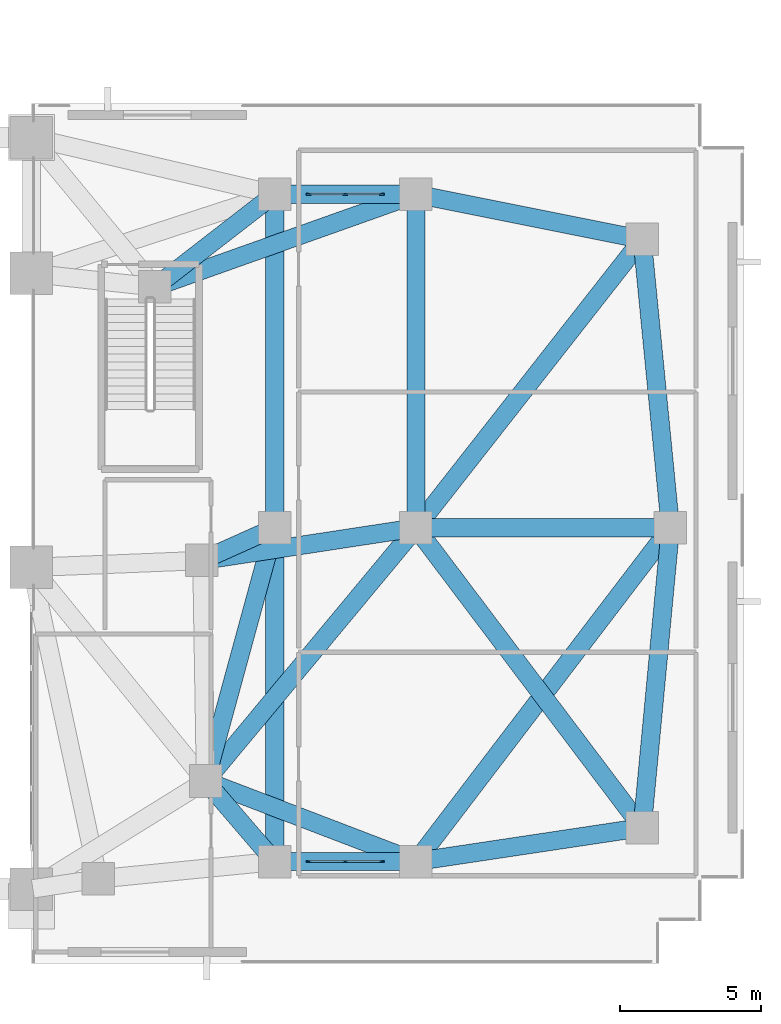
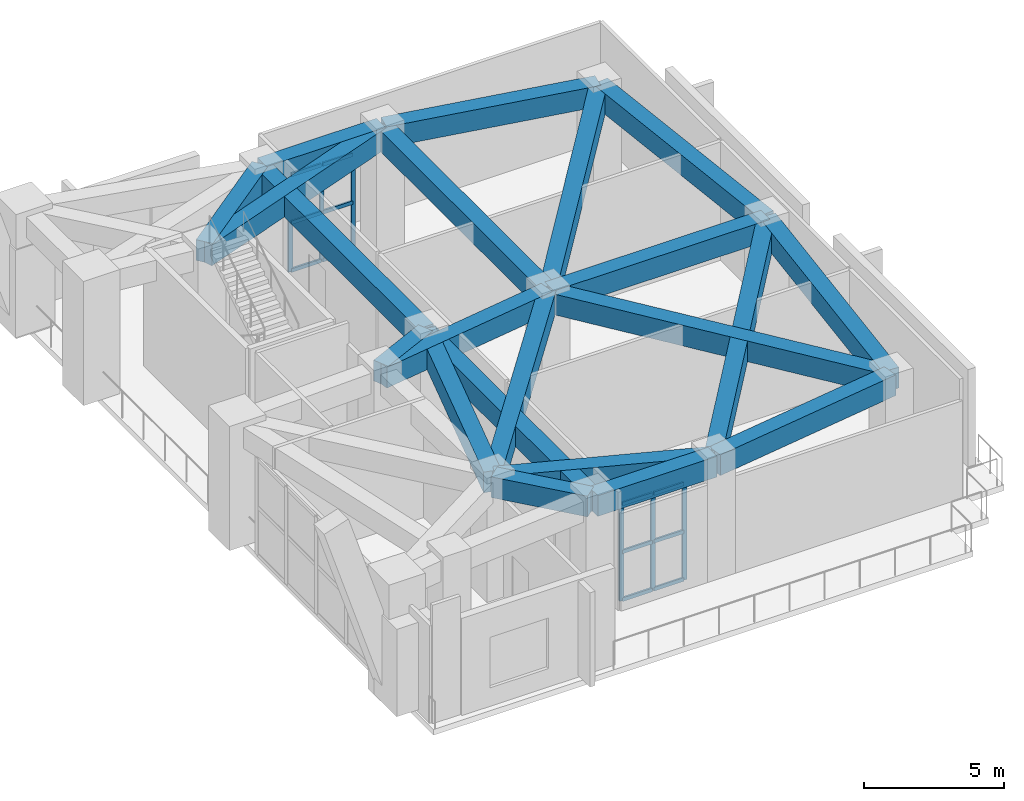
# One storey, part 4 of 18: 21 beams, 18 members, 2 elements without a shape of their own.
"""IFC4 building model written with IfcOpenShell, lengths in metres."""

from ifc_helpers import new_model, si_unit, direction, frame, origin, origin_2d, place, context, subcontext, project, spatial, rectangle, extrude, material, material_profile, profile_set, type_object, element, aggregate, save


model = new_model("IFC4")

# Units and contexts
model_context = context("Model", 3, precision=1e-05, world=origin(), true_north=direction((0.0, 1.0)))
body_context = subcontext(model_context, "Body", "Model", "MODEL_VIEW")
ifc_project = project(units=[si_unit("LENGTHUNIT", "METRE"), si_unit("AREAUNIT", "SQUARE_METRE"), si_unit("VOLUMEUNIT", "CUBIC_METRE"), si_unit("PLANEANGLEUNIT", "RADIAN"), si_unit("MASSUNIT", "GRAM", prefix="KILO")], contexts=[model_context])

# Site, building, storey
site_placement = place(None, origin())
site = spatial("IfcSite", under=ifc_project, at=site_placement, CompositionType="ELEMENT")
building_placement = place(site_placement, origin())
building = spatial("IfcBuilding", under=site, at=building_placement, Name="Gaonmaruhae Medical Tower", CompositionType="ELEMENT")
storey_placement = place(building_placement, frame((0.0, 0.0, 5.39990234375)))
storey = spatial("IfcBuildingStorey", under=building, at=storey_placement, Name="L01", CompositionType="ELEMENT", Elevation=5.39990234375)

# Curtain wall, members
ifc_material_1 = material(Name="Anodised aluminium and Low-E double glazing", Category="aluminium")
curtain_wall_type = type_object("IfcCurtainWallType", Name="CW-S6 Podium Diagnostic Atrium Curtain Wall", PredefinedType="NOTDEFINED", material=ifc_material_1)
curtain_wall_1_placement = place(storey_placement, origin())
curtain_wall_1 = element("IfcCurtainWall", 1, at=curtain_wall_1_placement, inside=storey, type_object=curtain_wall_type, Name="L01 Curtain Wall CW-L01-S6A", PredefinedType="NOTDEFINED")
ifc_material_2 = material(Name="Anodised aluminium 6063-T6", Category="aluminium")
ifc_material_profile_1 = material_profile(ifc_material_2, rectangle(XDim=0.06494140625, YDim=0.179931640625, at=origin_2d()), Name="CWM-65x180")
ifc_profile_set_1 = profile_set([ifc_material_profile_1], Name="Anodised aluminium 6063-T6")
member_type_1 = type_object("IfcMemberType", Name="CWM-2 Tower Feature Curtain Wall Mullion (CWM-65x180)", PredefinedType="MULLION", material=ifc_profile_set_1)
member_1_placement = place(storey_placement, frame((67.40576171875, 27.199951171875, 0.0), z_axis=(0.0, 0.0, 1.0), x_axis=(0.0, 1.0, 0.0)))
member_1 = element("IfcMember", 2, at=member_1_placement, type_object=member_type_1, Name="CW-S6 mullion 1", PredefinedType="MULLION", context=body_context, shape_type="SweptSolid", body=[
    extrude(rectangle(XDim=0.06494140625, YDim=0.179931640625, at=origin_2d()), origin(), (0.0, 0.0, 1.0), 4.22998046875),
])
member_2_placement = place(storey_placement, frame((68.699951171875, 27.199951171875, 0.0), z_axis=(0.0, 0.0, 1.0), x_axis=(0.0, 1.0, 0.0)))
member_2 = element("IfcMember", 3, at=member_2_placement, type_object=member_type_1, Name="CW-S6 mullion 2", PredefinedType="MULLION", context=body_context, shape_type="SweptSolid", body=[
    extrude(rectangle(XDim=0.06494140625, YDim=0.179931640625, at=origin_2d()), origin(), (0.0, 0.0, 1.0), 4.22998046875),
])
member_3_placement = place(storey_placement, frame((69.994384765625, 27.199951171875, 0.0), z_axis=(0.0, 0.0, 1.0), x_axis=(0.0, 1.0, 0.0)))
member_3 = element("IfcMember", 4, at=member_3_placement, type_object=member_type_1, Name="CW-S6 mullion 3", PredefinedType="MULLION", context=body_context, shape_type="SweptSolid", body=[
    extrude(rectangle(XDim=0.06494140625, YDim=0.179931640625, at=origin_2d()), origin(), (0.0, 0.0, 1.0), 4.22998046875),
])

curtain_wall_2_placement = place(storey_placement, origin())
curtain_wall_2 = element("IfcCurtainWall", 5, at=curtain_wall_2_placement, inside=storey, type_object=curtain_wall_type, Name="L01 Curtain Wall CW-L01-S6B", PredefinedType="NOTDEFINED")
member_4_placement = place(storey_placement, frame((67.40576171875, 3.60009765625, 0.0), z_axis=(0.0, 0.0, 1.0), x_axis=(0.0, 1.0, 0.0)))
member_4 = element("IfcMember", 6, at=member_4_placement, type_object=member_type_1, Name="CW-S6 mullion 1", PredefinedType="MULLION", context=body_context, shape_type="SweptSolid", body=[
    extrude(rectangle(XDim=0.06494140625, YDim=0.179931640625, at=origin_2d()), origin(), (0.0, 0.0, 1.0), 4.22998046875),
])
member_5_placement = place(storey_placement, frame((68.699951171875, 3.60009765625, 0.0), z_axis=(0.0, 0.0, 1.0), x_axis=(0.0, 1.0, 0.0)))
member_5 = element("IfcMember", 7, at=member_5_placement, type_object=member_type_1, Name="CW-S6 mullion 2", PredefinedType="MULLION", context=body_context, shape_type="SweptSolid", body=[
    extrude(rectangle(XDim=0.06494140625, YDim=0.179931640625, at=origin_2d()), origin(), (0.0, 0.0, 1.0), 4.22998046875),
])
member_6_placement = place(storey_placement, frame((69.994384765625, 3.60009765625, 0.0), z_axis=(0.0, 0.0, 1.0), x_axis=(0.0, 1.0, 0.0)))
member_6 = element("IfcMember", 8, at=member_6_placement, type_object=member_type_1, Name="CW-S6 mullion 3", PredefinedType="MULLION", context=body_context, shape_type="SweptSolid", body=[
    extrude(rectangle(XDim=0.06494140625, YDim=0.179931640625, at=origin_2d()), origin(), (0.0, 0.0, 1.0), 4.22998046875),
])

# Member
ifc_material_profile_2 = material_profile(ifc_material_2, rectangle(XDim=0.074951171875, YDim=0.159912109375, at=origin_2d()), Name="CWT-75x160")
ifc_profile_set_2 = profile_set([ifc_material_profile_2], Name="Anodised aluminium 6063-T6")
member_type_2 = type_object("IfcMemberType", Name="CWT-1 Heavy Atrium Curtain Wall Transom (CWT-75x160)", PredefinedType="USERDEFINED", material=ifc_profile_set_2)
member_7_placement = place(storey_placement, frame((67.438232421875, 27.199951171875, 0.03759765625), z_axis=(1.0, 0.0, 0.0), x_axis=(0.0, 1.0, 0.0)))
member_7 = element("IfcMember", 9, at=member_7_placement, type_object=member_type_2, Name="CW-S6 transom 1.1", ObjectType="TRANSOM", PredefinedType="USERDEFINED", context=body_context, shape_type="SweptSolid", body=[
    extrude(rectangle(XDim=0.074951171875, YDim=0.159912109375, at=origin_2d()), origin(), (0.0, 0.0, 1.0), 1.229248046875),
])

member_8_placement = place(storey_placement, frame((67.438232421875, 27.199951171875, 2.114990234375), z_axis=(1.0, 0.0, 0.0), x_axis=(0.0, 1.0, 0.0)))
member_8 = element("IfcMember", 10, at=member_8_placement, type_object=member_type_2, Name="CW-S6 transom 1.2", ObjectType="TRANSOM", PredefinedType="USERDEFINED", context=body_context, shape_type="SweptSolid", body=[
    extrude(rectangle(XDim=0.074951171875, YDim=0.159912109375, at=origin_2d()), origin(), (0.0, 0.0, 1.0), 1.229248046875),
])

member_9_placement = place(storey_placement, frame((67.438232421875, 27.199951171875, 4.192626953125), z_axis=(1.0, 0.0, 0.0), x_axis=(0.0, 1.0, 0.0)))
member_9 = element("IfcMember", 11, at=member_9_placement, type_object=member_type_2, Name="CW-S6 transom 1.3", ObjectType="TRANSOM", PredefinedType="USERDEFINED", context=body_context, shape_type="SweptSolid", body=[
    extrude(rectangle(XDim=0.074951171875, YDim=0.159912109375, at=origin_2d()), origin(), (0.0, 0.0, 1.0), 1.229248046875),
])

member_10_placement = place(storey_placement, frame((68.732421875, 27.199951171875, 0.03759765625), z_axis=(1.0, 0.0, 0.0), x_axis=(0.0, 1.0, 0.0)))
member_10 = element("IfcMember", 12, at=member_10_placement, type_object=member_type_2, Name="CW-S6 transom 2.1", ObjectType="TRANSOM", PredefinedType="USERDEFINED", context=body_context, shape_type="SweptSolid", body=[
    extrude(rectangle(XDim=0.074951171875, YDim=0.159912109375, at=origin_2d()), origin(), (0.0, 0.0, 1.0), 1.2294921875),
])

member_11_placement = place(storey_placement, frame((68.732421875, 27.199951171875, 2.114990234375), z_axis=(1.0, 0.0, 0.0), x_axis=(0.0, 1.0, 0.0)))
member_11 = element("IfcMember", 13, at=member_11_placement, type_object=member_type_2, Name="CW-S6 transom 2.2", ObjectType="TRANSOM", PredefinedType="USERDEFINED", context=body_context, shape_type="SweptSolid", body=[
    extrude(rectangle(XDim=0.074951171875, YDim=0.159912109375, at=origin_2d()), origin(), (0.0, 0.0, 1.0), 1.2294921875),
])

member_12_placement = place(storey_placement, frame((68.732421875, 27.199951171875, 4.192626953125), z_axis=(1.0, 0.0, 0.0), x_axis=(0.0, 1.0, 0.0)))
member_12 = element("IfcMember", 14, at=member_12_placement, type_object=member_type_2, Name="CW-S6 transom 2.3", ObjectType="TRANSOM", PredefinedType="USERDEFINED", context=body_context, shape_type="SweptSolid", body=[
    extrude(rectangle(XDim=0.074951171875, YDim=0.159912109375, at=origin_2d()), origin(), (0.0, 0.0, 1.0), 1.2294921875),
])

aggregate(curtain_wall_1, [member_1, member_2, member_3, member_7, member_8, member_9, member_10, member_11, member_12])

member_13_placement = place(storey_placement, frame((67.438232421875, 3.60009765625, 0.03759765625), z_axis=(1.0, 0.0, 0.0), x_axis=(0.0, 1.0, 0.0)))
member_13 = element("IfcMember", 15, at=member_13_placement, type_object=member_type_2, Name="CW-S6 transom 1.1", ObjectType="TRANSOM", PredefinedType="USERDEFINED", context=body_context, shape_type="SweptSolid", body=[
    extrude(rectangle(XDim=0.074951171875, YDim=0.159912109375, at=origin_2d()), origin(), (0.0, 0.0, 1.0), 1.229248046875),
])

member_14_placement = place(storey_placement, frame((67.438232421875, 3.60009765625, 2.114990234375), z_axis=(1.0, 0.0, 0.0), x_axis=(0.0, 1.0, 0.0)))
member_14 = element("IfcMember", 16, at=member_14_placement, type_object=member_type_2, Name="CW-S6 transom 1.2", ObjectType="TRANSOM", PredefinedType="USERDEFINED", context=body_context, shape_type="SweptSolid", body=[
    extrude(rectangle(XDim=0.074951171875, YDim=0.159912109375, at=origin_2d()), origin(), (0.0, 0.0, 1.0), 1.229248046875),
])

member_15_placement = place(storey_placement, frame((67.438232421875, 3.60009765625, 4.192626953125), z_axis=(1.0, 0.0, 0.0), x_axis=(0.0, 1.0, 0.0)))
member_15 = element("IfcMember", 17, at=member_15_placement, type_object=member_type_2, Name="CW-S6 transom 1.3", ObjectType="TRANSOM", PredefinedType="USERDEFINED", context=body_context, shape_type="SweptSolid", body=[
    extrude(rectangle(XDim=0.074951171875, YDim=0.159912109375, at=origin_2d()), origin(), (0.0, 0.0, 1.0), 1.229248046875),
])

member_16_placement = place(storey_placement, frame((68.732421875, 3.60009765625, 0.03759765625), z_axis=(1.0, 0.0, 0.0), x_axis=(0.0, 1.0, 0.0)))
member_16 = element("IfcMember", 18, at=member_16_placement, type_object=member_type_2, Name="CW-S6 transom 2.1", ObjectType="TRANSOM", PredefinedType="USERDEFINED", context=body_context, shape_type="SweptSolid", body=[
    extrude(rectangle(XDim=0.074951171875, YDim=0.159912109375, at=origin_2d()), origin(), (0.0, 0.0, 1.0), 1.2294921875),
])

member_17_placement = place(storey_placement, frame((68.732421875, 3.60009765625, 2.114990234375), z_axis=(1.0, 0.0, 0.0), x_axis=(0.0, 1.0, 0.0)))
member_17 = element("IfcMember", 19, at=member_17_placement, type_object=member_type_2, Name="CW-S6 transom 2.2", ObjectType="TRANSOM", PredefinedType="USERDEFINED", context=body_context, shape_type="SweptSolid", body=[
    extrude(rectangle(XDim=0.074951171875, YDim=0.159912109375, at=origin_2d()), origin(), (0.0, 0.0, 1.0), 1.2294921875),
])

member_18_placement = place(storey_placement, frame((68.732421875, 3.60009765625, 4.192626953125), z_axis=(1.0, 0.0, 0.0), x_axis=(0.0, 1.0, 0.0)))
member_18 = element("IfcMember", 20, at=member_18_placement, type_object=member_type_2, Name="CW-S6 transom 2.3", ObjectType="TRANSOM", PredefinedType="USERDEFINED", context=body_context, shape_type="SweptSolid", body=[
    extrude(rectangle(XDim=0.074951171875, YDim=0.159912109375, at=origin_2d()), origin(), (0.0, 0.0, 1.0), 1.2294921875),
])

aggregate(curtain_wall_2, [member_4, member_5, member_6, member_13, member_14, member_15, member_16, member_17, member_18])

# Beams
ifc_material_3 = material(Name="Concrete C50/60", Category="concrete")
ifc_material_profile_3 = material_profile(ifc_material_3, rectangle(XDim=0.64990234375, YDim=0.89990234375, at=origin_2d()), Name="RCG-650x900")
ifc_profile_set_3 = profile_set([ifc_material_profile_3], Name="Concrete C50/60")
beam_type = type_object("IfcBeamType", Name="RG-01 Podium Primary RC Girder (RCG-650x900)", PredefinedType="BEAM", material=ifc_profile_set_3)
beam_1_placement = place(storey_placement, frame((63.791015625, 6.409423828125, 4.7001953125), z_axis=(0.650934547186, -0.759133858604, 0.0), x_axis=(0.759133858604, 0.650934547186, 0.0)))
element("IfcBeam", 21, at=beam_1_placement, inside=storey, type_object=beam_type, Name="L01 Beam BM-L01-PG025", PredefinedType="BEAM", context=body_context, shape_type="SweptSolid", body=[
    extrude(rectangle(XDim=0.64990234375, YDim=0.89990234375, at=origin_2d()), origin(), (0.0, 0.0, 1.0), 3.65087890625),
])
beam_2_placement = place(storey_placement, frame((63.6748046875, 14.266845703125, 4.7001953125), z_axis=(0.912331175538, 0.409453081735, 0.0), x_axis=(-0.409453081735, 0.912331175538, 0.0)))
element("IfcBeam", 22, at=beam_2_placement, inside=storey, type_object=beam_type, Name="L01 Beam BM-L01-PG027", PredefinedType="BEAM", context=body_context, shape_type="SweptSolid", body=[
    extrude(rectangle(XDim=0.64990234375, YDim=0.89990234375, at=origin_2d()), origin(), (0.0, 0.0, 1.0), 2.7177734375),
])
beam_3_placement = place(storey_placement, frame((63.678466796875, 14.25390625, 4.7001953125), z_axis=(0.988587276062, 0.150649253596, 0.0), x_axis=(-0.150649253596, 0.988587276062, 0.0)))
element("IfcBeam", 23, at=beam_3_placement, inside=storey, type_object=beam_type, Name="L01 Beam BM-L01-PG028", PredefinedType="BEAM", context=body_context, shape_type="SweptSolid", body=[
    extrude(rectangle(XDim=0.64990234375, YDim=0.89990234375, at=origin_2d()), origin(), (0.0, 0.0, 1.0), 7.558349609375),
])
beam_4_placement = place(storey_placement, frame((62.008056640625, 23.950927734375, 4.7001953125), z_axis=(0.790374549581, 0.612623923279, 0.0), x_axis=(-0.612623923279, 0.790374549581, 0.0)))
element("IfcBeam", 24, at=beam_4_placement, inside=storey, type_object=beam_type, Name="L01 Beam BM-L01-PG029", PredefinedType="BEAM", context=body_context, shape_type="SweptSolid", body=[
    extrude(rectangle(XDim=0.64990234375, YDim=0.89990234375, at=origin_2d()), origin(), (0.0, 0.0, 1.0), 5.253662109375),
])
beam_5_placement = place(storey_placement, frame((62.015625, 23.93701171875, 4.7001953125), z_axis=(0.942294313395, 0.334785643275, 0.0), x_axis=(-0.334785643275, 0.942294313395, 0.0)))
element("IfcBeam", 25, at=beam_5_placement, inside=storey, type_object=beam_type, Name="L01 Beam BM-L01-PG030", PredefinedType="BEAM", context=body_context, shape_type="SweptSolid", body=[
    extrude(rectangle(XDim=0.64990234375, YDim=0.89990234375, at=origin_2d()), origin(), (0.0, 0.0, 1.0), 9.69677734375),
])
beam_6_placement = place(storey_placement, frame((66.25, 3.60009765625, 4.7001953125), z_axis=(1.0, 0.0, 0.0), x_axis=(0.0, 1.0, 0.0)))
element("IfcBeam", 26, at=beam_6_placement, inside=storey, type_object=beam_type, Name="L01 Beam BM-L01-PG058", PredefinedType="BEAM", context=body_context, shape_type="SweptSolid", body=[
    extrude(rectangle(XDim=0.64990234375, YDim=0.89990234375, at=origin_2d()), origin(), (0.0, 0.0, 1.0), 4.89990234375),
])
beam_7_placement = place(storey_placement, frame((66.199951171875, 3.64990234375, 4.7001953125), z_axis=(0.0, 1.0, 0.0), x_axis=(-1.0, 0.0, 0.0)))
element("IfcBeam", 27, at=beam_7_placement, inside=storey, type_object=beam_type, Name="L01 Beam BM-L01-PG059", PredefinedType="BEAM", context=body_context, shape_type="SweptSolid", body=[
    extrude(rectangle(XDim=0.64990234375, YDim=0.89990234375, at=origin_2d()), origin(), (0.0, 0.0, 1.0), 11.7001953125),
])
beam_8_placement = place(storey_placement, frame((71.1533203125, 3.617919921875, 4.7001953125), z_axis=(-0.933959250305, 0.357379516438, 0.0), x_axis=(-0.357379516438, -0.933959250305, 0.0)))
element("IfcBeam", 28, at=beam_8_placement, inside=storey, type_object=beam_type, Name="L01 Beam BM-L01-PG060", PredefinedType="BEAM", context=body_context, shape_type="SweptSolid", body=[
    extrude(rectangle(XDim=0.64990234375, YDim=0.89990234375, at=origin_2d()), origin(), (0.0, 0.0, 1.0), 7.86767578125),
])
beam_9_placement = place(storey_placement, frame((71.24951171875, 3.607421875, 4.7001953125), z_axis=(0.988938370032, 0.148327004546, 0.0), x_axis=(-0.148327004546, 0.988938370032, 0.0)))
element("IfcBeam", 29, at=beam_9_placement, inside=storey, type_object=beam_type, Name="L01 Beam BM-L01-PG061", PredefinedType="BEAM", context=body_context, shape_type="SweptSolid", body=[
    extrude(rectangle(XDim=0.64990234375, YDim=0.89990234375, at=origin_2d()), origin(), (0.0, 0.0, 1.0), 7.989501953125),
])
beam_10_placement = place(storey_placement, frame((66.186767578125, 15.351806640625, 4.7001953125), z_axis=(-0.263119656269, -0.964763207469, 0.0), x_axis=(0.964763207469, -0.263119656269, 0.0)))
element("IfcBeam", 30, at=beam_10_placement, inside=storey, type_object=beam_type, Name="L01 Beam BM-L01-PG062", PredefinedType="BEAM", context=body_context, shape_type="SweptSolid", body=[
    extrude(rectangle(XDim=0.64990234375, YDim=0.89990234375, at=origin_2d()), origin(), (0.0, 0.0, 1.0), 9.179443359375),
])
beam_11_placement = place(storey_placement, frame((66.199951171875, 15.449951171875, 4.7001953125), z_axis=(0.0, 1.0, 0.0), x_axis=(-1.0, 0.0, 0.0)))
element("IfcBeam", 31, at=beam_11_placement, inside=storey, type_object=beam_type, Name="L01 Beam BM-L01-PG063", PredefinedType="BEAM", context=body_context, shape_type="SweptSolid", body=[
    extrude(rectangle(XDim=0.64990234375, YDim=0.89990234375, at=origin_2d()), origin(), (0.0, 0.0, 1.0), 11.699951171875),
])
beam_12_placement = place(storey_placement, frame((71.25, 15.39990234375, 4.7001953125), z_axis=(1.0, 0.0, 0.0), x_axis=(0.0, 1.0, 0.0)))
element("IfcBeam", 32, at=beam_12_placement, inside=storey, type_object=beam_type, Name="L01 Beam BM-L01-PG064", PredefinedType="BEAM", context=body_context, shape_type="SweptSolid", body=[
    extrude(rectangle(XDim=0.64990234375, YDim=0.89990234375, at=origin_2d()), origin(), (0.0, 0.0, 1.0), 8.89990234375),
])
beam_13_placement = place(storey_placement, frame((71.16796875, 15.361572265625, 4.7001953125), z_axis=(-0.639224730156, -0.76901998957, 0.0), x_axis=(0.76901998957, -0.639224730156, 0.0)))
element("IfcBeam", 33, at=beam_13_placement, inside=storey, type_object=beam_type, Name="L01 Beam BM-L01-PG065", PredefinedType="BEAM", context=body_context, shape_type="SweptSolid", body=[
    extrude(rectangle(XDim=0.64990234375, YDim=0.89990234375, at=origin_2d()), origin(), (0.0, 0.0, 1.0), 11.54150390625),
])
beam_14_placement = place(storey_placement, frame((66.25, 27.199951171875, 4.7001953125), z_axis=(1.0, 0.0, 0.0), x_axis=(0.0, 1.0, 0.0)))
element("IfcBeam", 34, at=beam_14_placement, inside=storey, type_object=beam_type, Name="L01 Beam BM-L01-PG066", PredefinedType="BEAM", context=body_context, shape_type="SweptSolid", body=[
    extrude(rectangle(XDim=0.64990234375, YDim=0.89990234375, at=origin_2d()), origin(), (0.0, 0.0, 1.0), 4.89990234375),
])
beam_15_placement = place(storey_placement, frame((71.2490234375, 27.190185546875, 4.7001953125), z_axis=(0.98058184093, -0.196110308853, 0.0), x_axis=(0.196110308853, 0.98058184093, 0.0)))
element("IfcBeam", 35, at=beam_15_placement, inside=storey, type_object=beam_type, Name="L01 Beam BM-L01-PG068", PredefinedType="BEAM", context=body_context, shape_type="SweptSolid", body=[
    extrude(rectangle(XDim=0.64990234375, YDim=0.89990234375, at=origin_2d()), origin(), (0.0, 0.0, 1.0), 8.058349609375),
])
beam_16_placement = place(storey_placement, frame((71.199951171875, 27.14990234375, 4.7001953125), z_axis=(0.0, -1.0, 0.0), x_axis=(1.0, 0.0, 0.0)))
element("IfcBeam", 36, at=beam_16_placement, inside=storey, type_object=beam_type, Name="L01 Beam BM-L01-PG069", PredefinedType="BEAM", context=body_context, shape_type="SweptSolid", body=[
    extrude(rectangle(XDim=0.64990234375, YDim=0.89990234375, at=origin_2d()), origin(), (0.0, 0.0, 1.0), 11.699951171875),
])
beam_17_placement = place(storey_placement, frame((79.20458984375, 4.849853515625, 4.7001953125), z_axis=(0.093932984059, 0.995578522521, 0.0), x_axis=(-0.995578522521, 0.093932984059, 0.0)))
element("IfcBeam", 37, at=beam_17_placement, inside=storey, type_object=beam_type, Name="L01 Beam BM-L01-PG070", PredefinedType="BEAM", context=body_context, shape_type="SweptSolid", body=[
    extrude(rectangle(XDim=0.64990234375, YDim=0.89990234375, at=origin_2d()), origin(), (0.0, 0.0, 1.0), 10.547119140625),
])
beam_18_placement = place(storey_placement, frame((79.169921875, 4.83984375, 4.7001953125), z_axis=(-0.602400893863, 0.798193687693, 0.0), x_axis=(-0.798193687693, -0.602400893863, 0.0)))
element("IfcBeam", 38, at=beam_18_placement, inside=storey, type_object=beam_type, Name="L01 Beam BM-L01-PG071", PredefinedType="BEAM", context=body_context, shape_type="SweptSolid", body=[
    extrude(rectangle(XDim=0.64990234375, YDim=0.89990234375, at=origin_2d()), origin(), (0.0, 0.0, 1.0), 13.18017578125),
])
beam_19_placement = place(storey_placement, frame((80.195068359375, 15.44970703125, 4.7001953125), z_axis=(-0.097569555279, 0.995228708329, 0.0), x_axis=(-0.995228708329, -0.097569555279, 0.0)))
element("IfcBeam", 39, at=beam_19_placement, inside=storey, type_object=beam_type, Name="L01 Beam BM-L01-PG072", PredefinedType="BEAM", context=body_context, shape_type="SweptSolid", body=[
    extrude(rectangle(XDim=0.64990234375, YDim=0.89990234375, at=origin_2d()), origin(), (0.0, 0.0, 1.0), 10.14892578125),
])
beam_20_placement = place(storey_placement, frame((80.169677734375, 15.3603515625, 4.7001953125), z_axis=(-0.606446336319, -0.79512441867, 0.0), x_axis=(0.79512441867, -0.606446336319, 0.0)))
element("IfcBeam", 40, at=beam_20_placement, inside=storey, type_object=beam_type, Name="L01 Beam BM-L01-PG073", PredefinedType="BEAM", context=body_context, shape_type="SweptSolid", body=[
    extrude(rectangle(XDim=0.64990234375, YDim=0.89990234375, at=origin_2d()), origin(), (0.0, 0.0, 1.0), 14.74072265625),
])
beam_21_placement = place(storey_placement, frame((79.169189453125, 25.560546875, 4.7001953125), z_axis=(-0.617145695681, -0.786848899282, 0.0), x_axis=(0.786848899282, -0.617145695681, 0.0)))
element("IfcBeam", 41, at=beam_21_placement, inside=storey, type_object=beam_type, Name="L01 Beam BM-L01-PG074", PredefinedType="BEAM", context=body_context, shape_type="SweptSolid", body=[
    extrude(rectangle(XDim=0.64990234375, YDim=0.89990234375, at=origin_2d()), origin(), (0.0, 0.0, 1.0), 12.86279296875),
])

save(model, "model.ifc")
